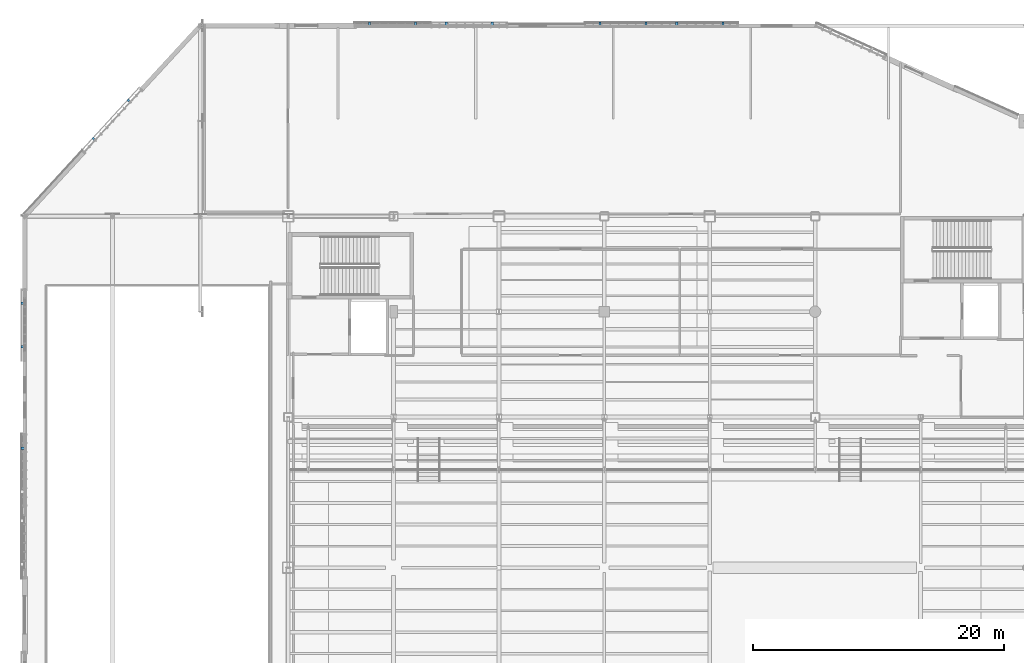
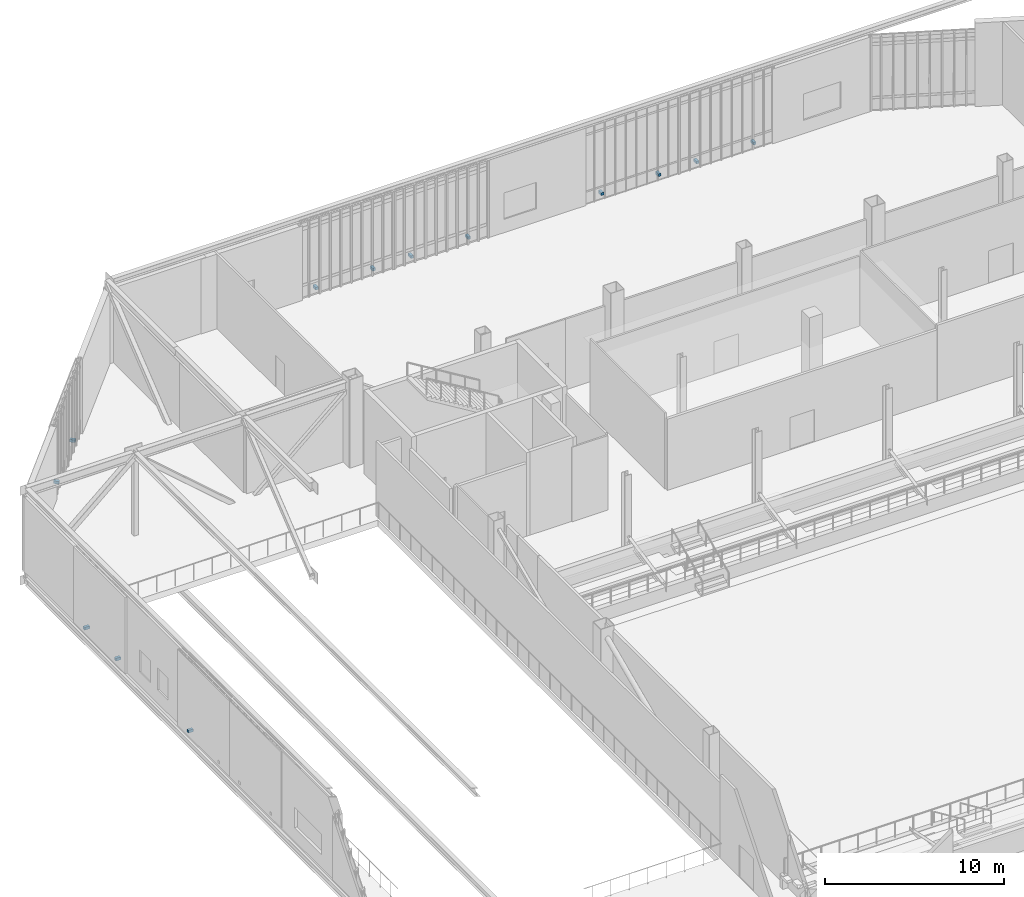
# One storey, part 118 of 135: 13 discrete accessories.
"""IFC4 building model written with IfcOpenShell, lengths in metres."""

from ifc_helpers import new_model, si_unit, direction, frame, origin, origin_2d, place, context, subcontext, project, spatial, rectangle, extrude, material, layer, layer_set, type_object, element, save


model = new_model("IFC4")

# Units and contexts
model_context = context("Model", 3, precision=1e-05, world=origin(), true_north=direction((0.0, 1.0)))
body_context = subcontext(model_context, "Body", "Model", "MODEL_VIEW")
ifc_project = project(units=[si_unit("LENGTHUNIT", "METRE"), si_unit("AREAUNIT", "SQUARE_METRE"), si_unit("VOLUMEUNIT", "CUBIC_METRE"), si_unit("PLANEANGLEUNIT", "RADIAN"), si_unit("MASSUNIT", "GRAM", prefix="KILO")], contexts=[model_context])

# Site, building, storey
site_placement = place(None, origin())
site = spatial("IfcSite", under=ifc_project, at=site_placement, CompositionType="ELEMENT")
building_placement = place(site_placement, origin())
building = spatial("IfcBuilding", under=site, at=building_placement, Name="Larkvane Passage Sports Hall", CompositionType="ELEMENT")
storey_placement = place(building_placement, frame((0.0, 0.0, 10.800048828125)))
storey = spatial("IfcBuildingStorey", under=building, at=storey_placement, Name="L02", CompositionType="ELEMENT", Elevation=10.800048828125)

# Discrete accessories
ifc_material = material(Name="Steel S355JR", Category="steel")
ifc_layer = layer(ifc_material, 0.179931640625)
ifc_layer_set = layer_set([ifc_layer], Name="Steel S355JR")
discrete_accessory_type = type_object("IfcDiscreteAccessoryType", Name="ACC-BRACKET-STL", PredefinedType="BRACKET", material=ifc_layer_set)
for number, where, z_axis, x_axis, name in (
    (1, (13.679931640625, 73.111083984375, 0.259765625), (0.0, 0.0, 1.0), (0.0, 1.0, 0.0), "Veil outrigger bracket L02-065-2"),
    (2, (13.679931640625, 81.199951171875, 0.259765625), (0.0, 0.0, 1.0), (0.0, 1.0, 0.0), "Veil outrigger bracket L02-066-1"),
    (3, (13.679931640625, 84.666748046875, 0.259765625), (0.0, 0.0, 1.0), (0.0, 1.0, 0.0), "Veil outrigger bracket L02-066-2"),
    (4, (19.311767578125, 97.76123046875, 0.259765625), (0.0, 0.0, 1.0), (0.677475754753, 0.735545105158, 0.0), "Veil outrigger bracket L02-067-1"),
    (5, (22.11181640625, 100.80126953125, 0.259765625), (0.0, 0.0, 1.0), (0.677475754753, 0.735545105158, 0.0), "Veil outrigger bracket L02-067-2"),
    (6, (41.27490234375, 106.919921875, 0.259765625), (0.0, 0.0, 1.0), (1.0, 0.0, 0.0), "Veil outrigger bracket L02-068-1"),
    (7, (44.949951171875, 106.919921875, 0.259765625), (0.0, 0.0, 1.0), (1.0, 0.0, 0.0), "Veil outrigger bracket L02-068-2"),
    (8, (47.39990234375, 106.919921875, 0.259765625), (0.0, 0.0, 1.0), (1.0, 0.0, 0.0), "Veil outrigger bracket L02-069-1"),
    (9, (51.074951171875, 106.919921875, 0.259765625), (0.0, 0.0, 1.0), (1.0, 0.0, 0.0), "Veil outrigger bracket L02-069-2"),
    (10, (59.64990234375, 106.919921875, 0.259765625), (0.0, 0.0, 1.0), (1.0, 0.0, 0.0), "Veil outrigger bracket L02-070-1"),
    (11, (63.324951171875, 106.919921875, 0.259765625), (0.0, 0.0, 1.0), (1.0, 0.0, 0.0), "Veil outrigger bracket L02-070-2"),
    (12, (65.77490234375, 106.919921875, 0.259765625), (0.0, 0.0, 1.0), (1.0, 0.0, 0.0), "Veil outrigger bracket L02-071-1"),
    (13, (69.449951171875, 106.919921875, 0.259765625), (0.0, 0.0, 1.0), (1.0, 0.0, 0.0), "Veil outrigger bracket L02-071-2"),
):
    element("IfcDiscreteAccessory", number, at=place(storey_placement, frame(where, z_axis=z_axis, x_axis=x_axis)), inside=storey, type_object=discrete_accessory_type, Name=name, PredefinedType="BRACKET", context=body_context, shape_type="SweptSolid", body=[
        extrude(rectangle(XDim=0.179931640625, YDim=0.320068359375, at=origin_2d()), origin(), (0.0, 0.0, 1.0), 0.179931640625),
    ])

save(model, "model.ifc")
